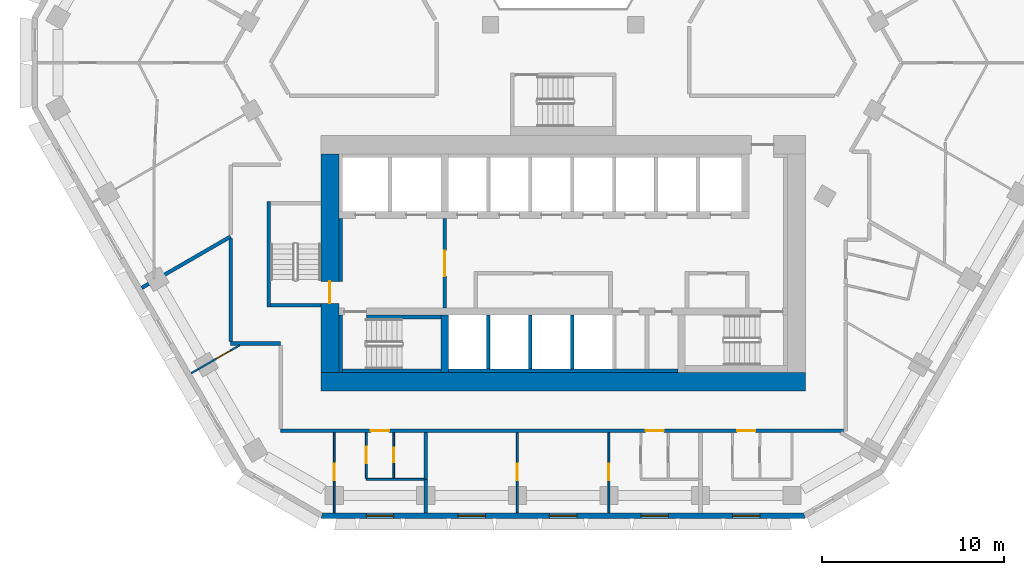
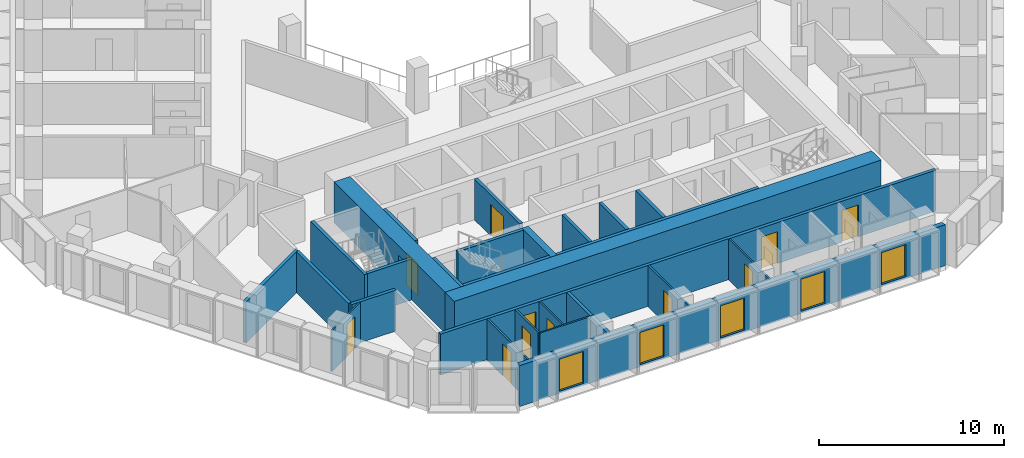
# One storey, part 3 of 15: 28 walls, 11 doors, 5 windows, 16 openings.
"""IFC4 building model written with IfcOpenShell, lengths in metres."""

from ifc_helpers import new_model, si_unit, direction, frame, frame_2d, origin, place, context, subcontext, project, spatial, polyline, rectangle, outline, extrude, material, layer, layer_set, type_object, element, fill, save


model = new_model("IFC4")

# Units and contexts
model_context = context("Model", 3, precision=1e-05, world=origin(), true_north=direction((0.0, 1.0)))
body_context = subcontext(model_context, "Body", "Model", "MODEL_VIEW")
ifc_project = project(units=[si_unit("LENGTHUNIT", "METRE"), si_unit("AREAUNIT", "SQUARE_METRE"), si_unit("VOLUMEUNIT", "CUBIC_METRE"), si_unit("PLANEANGLEUNIT", "RADIAN"), si_unit("MASSUNIT", "GRAM", prefix="KILO")], contexts=[model_context])

# Site, building, storey
site_placement = place(None, origin())
site = spatial("IfcSite", under=ifc_project, at=site_placement, CompositionType="ELEMENT")
building_placement = place(site_placement, origin())
building = spatial("IfcBuilding", under=site, at=building_placement, Name="Beryl Residences", CompositionType="ELEMENT")
storey_placement = place(building_placement, frame((0.0, 0.0, 84.0)))
storey = spatial("IfcBuildingStorey", under=building, at=storey_placement, Name="L25", CompositionType="ELEMENT", Elevation=84.0)

# Wall, openings, windows
ifc_material_1 = material(Name="Composite metal panel with mineral wool insulation")
ifc_layer_1 = layer(ifc_material_1, 0.300048828125)
ifc_layer_set_1 = layer_set([ifc_layer_1], Name="ES1 pale metal composite panel wall 300 mm")
wall_type_1 = type_object("IfcWallType", Name="ES1 pale metal composite panel wall 300 mm", PredefinedType="SOLIDWALL", material=ifc_layer_set_1)
wall_1_placement = place(storey_placement, frame((-13.279052734375, -25.85009765625, 0.0), z_axis=(0.0, 0.0, 1.0), x_axis=(1.0, 0.0, 0.0)))
wall_1 = element("IfcWall", 1, at=wall_1_placement, inside=storey, type_object=wall_type_1, Name="ES1 external wall L25 S", PredefinedType="SOLIDWALL", context=body_context, shape_type="SweptSolid", body=[
    extrude(outline(polyline([(0.0, -0.14990234375), (26.55810546875, -0.14990234375), (26.477783203125, 0.14990234375), (0.080322265625, 0.14990234375), (0.0, -0.14990234375)])), origin(), (0.0, 0.0, 1.0), 2.699951171875),
])
opening_1_placement = place(wall_1_placement, frame((2.48291015625, 0.0, 0.14990234375)))
opening_1 = element("IfcOpeningElement", 2, at=opening_1_placement, cuts=wall_1, Name="Opening W1", PredefinedType="OPENING", context=body_context, shape_type="SweptSolid", body=[
    extrude(rectangle(XDim=1.5, YDim=2.10009765625, at=frame_2d((0.75, 1.050048828125))), frame((0.0, 0.159912109375, 0.0), z_axis=(0.0, -1.0, 0.0), x_axis=(1.0, 0.0, 0.0)), (0.0, 0.0, 1.0), 0.320068359375),
])
opening_2_placement = place(wall_1_placement, frame((7.507080078125, 0.0, 0.14990234375)))
opening_2 = element("IfcOpeningElement", 3, at=opening_2_placement, cuts=wall_1, Name="Opening W1", PredefinedType="OPENING", context=body_context, shape_type="SweptSolid", body=[
    extrude(rectangle(XDim=1.5, YDim=2.10009765625, at=frame_2d((0.75, 1.050048828125))), frame((0.0, 0.159912109375, 0.0), z_axis=(0.0, -1.0, 0.0), x_axis=(1.0, 0.0, 0.0)), (0.0, 0.0, 1.0), 0.320068359375),
])
opening_3_placement = place(wall_1_placement, frame((12.529052734375, 0.0, 0.14990234375)))
opening_3 = element("IfcOpeningElement", 4, at=opening_3_placement, cuts=wall_1, Name="Opening W1", PredefinedType="OPENING", context=body_context, shape_type="SweptSolid", body=[
    extrude(rectangle(XDim=1.5, YDim=2.10009765625, at=frame_2d((0.75, 1.050048828125))), frame((0.0, 0.159912109375, 0.0), z_axis=(0.0, -1.0, 0.0), x_axis=(1.0, 0.0, 0.0)), (0.0, 0.0, 1.0), 0.320068359375),
])
opening_4_placement = place(wall_1_placement, frame((17.552978515625, 0.0, 0.14990234375)))
opening_4 = element("IfcOpeningElement", 5, at=opening_4_placement, cuts=wall_1, Name="Opening W1", PredefinedType="OPENING", context=body_context, shape_type="SweptSolid", body=[
    extrude(rectangle(XDim=1.5, YDim=2.10009765625, at=frame_2d((0.75, 1.050048828125))), frame((0.0, 0.159912109375, 0.0), z_axis=(0.0, -1.0, 0.0), x_axis=(1.0, 0.0, 0.0)), (0.0, 0.0, 1.0), 0.320068359375),
])
opening_5_placement = place(wall_1_placement, frame((22.574951171875, 0.0, 0.14990234375)))
opening_5 = element("IfcOpeningElement", 6, at=opening_5_placement, cuts=wall_1, Name="Opening W1", PredefinedType="OPENING", context=body_context, shape_type="SweptSolid", body=[
    extrude(rectangle(XDim=1.5, YDim=2.10009765625, at=frame_2d((0.75, 1.050048828125))), frame((0.0, 0.159912109375, 0.0), z_axis=(0.0, -1.0, 0.0), x_axis=(1.0, 0.0, 0.0)), (0.0, 0.0, 1.0), 0.320068359375),
])
ifc_material_2 = material(Name="Aluminium and clear glass", Category="aluminium")
window_type = type_object("IfcWindowType", Name="W1 cell window 1500 x 2100 mm", PartitioningType="SINGLE_PANEL", PredefinedType="WINDOW", material=ifc_material_2)
window_1_placement = place(opening_1_placement, origin())
window_1 = element("IfcWindow", 7, at=window_1_placement, inside=storey, type_object=window_type, Name="W1 window L25 S 2", OverallHeight=2.10009765625, OverallWidth=1.5, PartitioningType="SINGLE_PANEL", PredefinedType="WINDOW", context=body_context, shape_type="SweptSolid", body=[
    extrude(rectangle(XDim=1.5, YDim=2.10009765625, at=frame_2d((0.75, 1.050048828125))), frame((0.0, 0.030029296875, 0.0), z_axis=(0.0, -1.0, 0.0), x_axis=(1.0, 0.0, 0.0)), (0.0, 0.0, 1.0), 0.06005859375),
])
fill(opening_1, window_1)
window_2_placement = place(opening_2_placement, origin())
window_2 = element("IfcWindow", 8, at=window_2_placement, inside=storey, type_object=window_type, Name="W1 window L25 S 4", OverallHeight=2.10009765625, OverallWidth=1.5, PartitioningType="SINGLE_PANEL", PredefinedType="WINDOW", context=body_context, shape_type="SweptSolid", body=[
    extrude(rectangle(XDim=1.5, YDim=2.10009765625, at=frame_2d((0.75, 1.050048828125))), frame((0.0, 0.030029296875, 0.0), z_axis=(0.0, -1.0, 0.0), x_axis=(1.0, 0.0, 0.0)), (0.0, 0.0, 1.0), 0.06005859375),
])
fill(opening_2, window_2)
window_3_placement = place(opening_3_placement, origin())
window_3 = element("IfcWindow", 9, at=window_3_placement, inside=storey, type_object=window_type, Name="W1 window L25 S 6", OverallHeight=2.10009765625, OverallWidth=1.5, PartitioningType="SINGLE_PANEL", PredefinedType="WINDOW", context=body_context, shape_type="SweptSolid", body=[
    extrude(rectangle(XDim=1.5, YDim=2.10009765625, at=frame_2d((0.75, 1.050048828125))), frame((0.0, 0.030029296875, 0.0), z_axis=(0.0, -1.0, 0.0), x_axis=(1.0, 0.0, 0.0)), (0.0, 0.0, 1.0), 0.06005859375),
])
fill(opening_3, window_3)
window_4_placement = place(opening_4_placement, origin())
window_4 = element("IfcWindow", 10, at=window_4_placement, inside=storey, type_object=window_type, Name="W1 window L25 S 8", OverallHeight=2.10009765625, OverallWidth=1.5, PartitioningType="SINGLE_PANEL", PredefinedType="WINDOW", context=body_context, shape_type="SweptSolid", body=[
    extrude(rectangle(XDim=1.5, YDim=2.10009765625, at=frame_2d((0.75, 1.050048828125))), frame((0.0, 0.030029296875, 0.0), z_axis=(0.0, -1.0, 0.0), x_axis=(1.0, 0.0, 0.0)), (0.0, 0.0, 1.0), 0.06005859375),
])
fill(opening_4, window_4)
window_5_placement = place(opening_5_placement, origin())
window_5 = element("IfcWindow", 11, at=window_5_placement, inside=storey, type_object=window_type, Name="W1 window L25 S 10", OverallHeight=2.10009765625, OverallWidth=1.5, PartitioningType="SINGLE_PANEL", PredefinedType="WINDOW", context=body_context, shape_type="SweptSolid", body=[
    extrude(rectangle(XDim=1.5, YDim=2.10009765625, at=frame_2d((0.75, 1.050048828125))), frame((0.0, 0.030029296875, 0.0), z_axis=(0.0, -1.0, 0.0), x_axis=(1.0, 0.0, 0.0)), (0.0, 0.0, 1.0), 0.06005859375),
])
fill(opening_5, window_5)

# Wall, opening, door
ifc_material_3 = material(Name="Gypsum board partition on steel studs", Category="steel")
ifc_layer_2 = layer(ifc_material_3, 0.10009765625)
ifc_layer_set_2 = layer_set([ifc_layer_2], Name="PT1 partition 100 mm gypsum board on steel studs")
wall_type_2 = type_object("IfcWallType", Name="PT1 partition 100 mm gypsum board on steel studs", PredefinedType="PARTITIONING", material=ifc_layer_set_2)
wall_2_placement = place(storey_placement, frame((-10.799072265625, -21.300048828125, 0.0), z_axis=(0.0, 0.0, 1.0), x_axis=(0.0, -1.0, 0.0)))
wall_2 = element("IfcWall", 12, at=wall_2_placement, inside=storey, type_object=wall_type_2, Name="Wall PT1 L25 011", PredefinedType="PARTITIONING", context=body_context, shape_type="SweptSolid", body=[
    extrude(rectangle(XDim=2.509033203125, YDim=0.10009765625, at=frame_2d((1.25439453125, 0.0))), origin(), (0.0, 0.0, 1.0), 2.699951171875),
])
opening_6_placement = place(wall_2_placement, frame((0.780029296875, 0.0, 0.0)))
opening_6 = element("IfcOpeningElement", 13, at=opening_6_placement, cuts=wall_2, Name="Opening D0847", PredefinedType="OPENING", context=body_context, shape_type="SweptSolid", body=[
    extrude(rectangle(XDim=0.89990234375, YDim=2.10009765625, at=frame_2d((0.449951171875, 1.050048828125))), frame((0.0, 0.06005859375, 0.0), z_axis=(0.0, -1.0, 0.0), x_axis=(1.0, 0.0, 0.0)), (0.0, 0.0, 1.0), 0.1201171875),
])
ifc_material_4 = material(Name="Timber door leaf", Category="wood")
door_type_1 = type_object("IfcDoorType", Name="D2 room door 900 x 2100 mm", OperationType="SINGLE_SWING_LEFT", PredefinedType="DOOR", material=ifc_material_4)
door_1_placement = place(opening_6_placement, origin())
door_1 = element("IfcDoor", 14, at=door_1_placement, inside=storey, type_object=door_type_1, Name="Door D0847 L25 001", OperationType="SINGLE_SWING_LEFT", OverallHeight=2.10009765625, OverallWidth=0.89990234375, PredefinedType="DOOR", context=body_context, shape_type="SweptSolid", body=[
    extrude(rectangle(XDim=0.89990234375, YDim=2.10009765625, at=frame_2d((0.449951171875, 1.050048828125))), frame((0.0, 0.02490234375, 0.0), z_axis=(0.0, -1.0, 0.0), x_axis=(1.0, 0.0, 0.0)), (0.0, 0.0, 1.0), 0.050048828125),
])
fill(opening_6, door_1)

# Wall
wall_3_placement = place(storey_placement, frame((-10.798095703125, -23.860107421875, 0.0), z_axis=(0.0, 0.0, 1.0), x_axis=(1.0, 0.0, 0.0)))
element("IfcWall", 15, at=wall_3_placement, inside=storey, type_object=wall_type_2, Name="Wall PT1 L25 029", PredefinedType="PARTITIONING", context=body_context, shape_type="SweptSolid", body=[
    extrude(rectangle(XDim=3.1640625, YDim=0.10009765625, at=frame_2d((1.58203125, 0.0))), origin(), (0.0, 0.0, 1.0), 2.699951171875),
])

# Wall, opening, door
wall_4_placement = place(storey_placement, frame((2.511962890625, -25.699951171875, 0.0), z_axis=(0.0, 0.0, 1.0), x_axis=(0.0, 1.0, 0.0)))
wall_4 = element("IfcWall", 16, at=wall_4_placement, inside=storey, type_object=wall_type_2, Name="Wall PT1 L25 052", PredefinedType="PARTITIONING", context=body_context, shape_type="SweptSolid", body=[
    extrude(rectangle(XDim=4.39990234375, YDim=0.10009765625, at=frame_2d((2.199951171875, 0.0))), origin(), (0.0, 0.0, 1.0), 2.699951171875),
])
opening_7_placement = place(wall_4_placement, frame((1.800048828125, 0.0, 0.0)))
opening_7 = element("IfcOpeningElement", 17, at=opening_7_placement, cuts=wall_4, Name="Opening D0854", PredefinedType="OPENING", context=body_context, shape_type="SweptSolid", body=[
    extrude(rectangle(XDim=0.89990234375, YDim=2.10009765625, at=frame_2d((0.449951171875, 1.050048828125))), frame((0.0, 0.06005859375, 0.0), z_axis=(0.0, -1.0, 0.0), x_axis=(1.0, 0.0, 0.0)), (0.0, 0.0, 1.0), 0.1201171875),
])
door_2_placement = place(opening_7_placement, origin())
door_2 = element("IfcDoor", 18, at=door_2_placement, inside=storey, type_object=door_type_1, Name="Door D0854 L25 001", OperationType="SINGLE_SWING_RIGHT", OverallHeight=2.10009765625, OverallWidth=0.89990234375, PredefinedType="DOOR", context=body_context, shape_type="SweptSolid", body=[
    extrude(rectangle(XDim=0.89990234375, YDim=2.10009765625, at=frame_2d((0.449951171875, 1.050048828125))), frame((0.0, 0.02490234375, 0.0), z_axis=(0.0, -1.0, 0.0), x_axis=(1.0, 0.0, 0.0)), (0.0, 0.0, 1.0), 0.050048828125),
])
fill(opening_7, door_2)

wall_5_placement = place(storey_placement, frame((-9.2919921875, -23.81005859375, 0.0), z_axis=(0.0, 0.0, 1.0), x_axis=(0.0, 1.0, 0.0)))
wall_5 = element("IfcWall", 19, at=wall_5_placement, inside=storey, type_object=wall_type_2, Name="Wall PT1 L25 055", PredefinedType="PARTITIONING", context=body_context, shape_type="SweptSolid", body=[
    extrude(rectangle(XDim=2.510009765625, YDim=0.10009765625, at=frame_2d((1.2548828125, 0.0))), origin(), (0.0, 0.0, 1.0), 2.699951171875),
])
opening_8_placement = place(wall_5_placement, frame((0.8798828125, 0.0, 0.0)))
opening_8 = element("IfcOpeningElement", 20, at=opening_8_placement, cuts=wall_5, Name="Opening D0848", PredefinedType="OPENING", context=body_context, shape_type="SweptSolid", body=[
    extrude(rectangle(XDim=0.800048828125, YDim=2.10009765625, at=frame_2d((0.39990234375, 1.050048828125))), frame((0.0, 0.06005859375, 0.0), z_axis=(0.0, -1.0, 0.0), x_axis=(1.0, 0.0, 0.0)), (0.0, 0.0, 1.0), 0.1201171875),
])
ifc_material_5 = material(Name="Timber door leaf", Category="wood")
door_type_2 = type_object("IfcDoorType", Name="D3 bathroom door 800 x 2100 mm", OperationType="SINGLE_SWING_LEFT", PredefinedType="DOOR", material=ifc_material_5)
door_3_placement = place(opening_8_placement, origin())
door_3 = element("IfcDoor", 21, at=door_3_placement, inside=storey, type_object=door_type_2, Name="Door D0848 L25 001", OperationType="SINGLE_SWING_RIGHT", OverallHeight=2.10009765625, OverallWidth=0.800048828125, PredefinedType="DOOR", context=body_context, shape_type="SweptSolid", body=[
    extrude(rectangle(XDim=0.800048828125, YDim=2.10009765625, at=frame_2d((0.39990234375, 1.050048828125))), frame((0.0, 0.02490234375, 0.0), z_axis=(0.0, -1.0, 0.0), x_axis=(1.0, 0.0, 0.0)), (0.0, 0.0, 1.0), 0.050048828125),
])
fill(opening_8, door_3)

wall_6_placement = place(storey_placement, frame((-12.556884765625, -25.699951171875, 0.0), z_axis=(0.0, 0.0, 1.0), x_axis=(0.0, 1.0, 0.0)))
wall_6 = element("IfcWall", 22, at=wall_6_placement, inside=storey, type_object=wall_type_2, Name="Wall PT1 L25 057", PredefinedType="PARTITIONING", context=body_context, shape_type="SweptSolid", body=[
    extrude(rectangle(XDim=4.39990234375, YDim=0.10009765625, at=frame_2d((2.199951171875, 0.0))), origin(), (0.0, 0.0, 1.0), 2.699951171875),
])
opening_9_placement = place(wall_6_placement, frame((1.800048828125, 0.0, 0.0)))
opening_9 = element("IfcOpeningElement", 23, at=opening_9_placement, cuts=wall_6, Name="Opening D0849", PredefinedType="OPENING", context=body_context, shape_type="SweptSolid", body=[
    extrude(rectangle(XDim=0.89990234375, YDim=2.10009765625, at=frame_2d((0.449951171875, 1.050048828125))), frame((0.0, 0.06005859375, 0.0), z_axis=(0.0, -1.0, 0.0), x_axis=(1.0, 0.0, 0.0)), (0.0, 0.0, 1.0), 0.1201171875),
])
door_4_placement = place(opening_9_placement, origin())
door_4 = element("IfcDoor", 24, at=door_4_placement, inside=storey, type_object=door_type_1, Name="Door D0849 L25 001", OperationType="SINGLE_SWING_LEFT", OverallHeight=2.10009765625, OverallWidth=0.89990234375, PredefinedType="DOOR", context=body_context, shape_type="SweptSolid", body=[
    extrude(rectangle(XDim=0.89990234375, YDim=2.10009765625, at=frame_2d((0.449951171875, 1.050048828125))), frame((0.0, 0.02490234375, 0.0), z_axis=(0.0, -1.0, 0.0), x_axis=(1.0, 0.0, 0.0)), (0.0, 0.0, 1.0), 0.050048828125),
])
fill(opening_9, door_4)

wall_7_placement = place(storey_placement, frame((-2.510986328125, -25.699951171875, 0.0), z_axis=(0.0, 0.0, 1.0), x_axis=(0.0, 1.0, 0.0)))
wall_7 = element("IfcWall", 25, at=wall_7_placement, inside=storey, type_object=wall_type_2, Name="Wall PT1 L25 060", PredefinedType="PARTITIONING", context=body_context, shape_type="SweptSolid", body=[
    extrude(rectangle(XDim=4.39990234375, YDim=0.10009765625, at=frame_2d((2.199951171875, 0.0))), origin(), (0.0, 0.0, 1.0), 2.699951171875),
])
opening_10_placement = place(wall_7_placement, frame((1.800048828125, 0.0, 0.0)))
opening_10 = element("IfcOpeningElement", 26, at=opening_10_placement, cuts=wall_7, Name="Opening D0855", PredefinedType="OPENING", context=body_context, shape_type="SweptSolid", body=[
    extrude(rectangle(XDim=0.89990234375, YDim=2.10009765625, at=frame_2d((0.449951171875, 1.050048828125))), frame((0.0, 0.06005859375, 0.0), z_axis=(0.0, -1.0, 0.0), x_axis=(1.0, 0.0, 0.0)), (0.0, 0.0, 1.0), 0.1201171875),
])
door_5_placement = place(opening_10_placement, origin())
door_5 = element("IfcDoor", 27, at=door_5_placement, inside=storey, type_object=door_type_1, Name="Door D0855 L25 001", OperationType="SINGLE_SWING_LEFT", OverallHeight=2.10009765625, OverallWidth=0.89990234375, PredefinedType="DOOR", context=body_context, shape_type="SweptSolid", body=[
    extrude(rectangle(XDim=0.89990234375, YDim=2.10009765625, at=frame_2d((0.449951171875, 1.050048828125))), frame((0.0, 0.02490234375, 0.0), z_axis=(0.0, -1.0, 0.0), x_axis=(1.0, 0.0, 0.0)), (0.0, 0.0, 1.0), 0.050048828125),
])
fill(opening_10, door_5)

wall_8_placement = place(storey_placement, frame((-20.416015625, -18.0380859375, 0.0), z_axis=(0.0, 0.0, 1.0), x_axis=(0.866026989333, 0.499997253739, 0.0)))
wall_8 = element("IfcWall", 28, at=wall_8_placement, inside=storey, type_object=wall_type_2, Name="Wall PT1 L25 063", PredefinedType="PARTITIONING", context=body_context, shape_type="SweptSolid", body=[
    extrude(rectangle(XDim=3.076171875, YDim=0.10009765625, at=frame_2d((1.5380859375, 0.0))), origin(), (0.0, 0.0, 1.0), 2.699951171875),
])
opening_11_placement = place(wall_8_placement, frame((1.587890625, 0.0, 0.0)))
opening_11 = element("IfcOpeningElement", 29, at=opening_11_placement, cuts=wall_8, Name="Opening D0850", PredefinedType="OPENING", context=body_context, shape_type="SweptSolid", body=[
    extrude(rectangle(XDim=0.89990234375, YDim=2.10009765625, at=frame_2d((0.449951171875, 1.050048828125))), frame((0.0, 0.06005859375, 0.0), z_axis=(0.0, -1.0, 0.0), x_axis=(1.0, 0.0, 0.0)), (0.0, 0.0, 1.0), 0.1201171875),
])
door_6_placement = place(opening_11_placement, origin())
door_6 = element("IfcDoor", 30, at=door_6_placement, inside=storey, type_object=door_type_1, Name="Door D0850 L25 001", OperationType="SINGLE_SWING_RIGHT", OverallHeight=2.10009765625, OverallWidth=0.89990234375, PredefinedType="DOOR", context=body_context, shape_type="SweptSolid", body=[
    extrude(rectangle(XDim=0.89990234375, YDim=2.10009765625, at=frame_2d((0.449951171875, 1.050048828125))), frame((0.0, 0.02490234375, 0.0), z_axis=(0.0, -1.0, 0.0), x_axis=(1.0, 0.0, 0.0)), (0.0, 0.0, 1.0), 0.050048828125),
])
fill(opening_11, door_6)

# Wall
ifc_material_6 = material(Name="Concrete masonry", Category="masonry")
ifc_layer_3 = layer(ifc_material_6, 0.199951171875)
ifc_layer_set_3 = layer_set([ifc_layer_3], Name="PT13 lobby wall 200 mm")
wall_type_3 = type_object("IfcWallType", Name="PT13 lobby wall 200 mm", PredefinedType="PARTITIONING", material=ifc_layer_set_3)
wall_9_placement = place(storey_placement, frame((-12.199951171875, -13.0, 0.0), z_axis=(0.0, 0.0, 1.0), x_axis=(0.0, 1.0, 0.0)))
element("IfcWall", 31, at=wall_9_placement, inside=storey, type_object=wall_type_3, Name="Lobby wall 05", PredefinedType="PARTITIONING", context=body_context, shape_type="SweptSolid", body=[
    extrude(rectangle(XDim=3.449951171875, YDim=0.199951171875, at=frame_2d((1.72509765625, 0.0))), origin(), (0.0, 0.0, 1.0), 2.699951171875),
])

# Wall, opening, door
wall_10_placement = place(storey_placement, frame((-6.5, -14.449951171875, 0.0), z_axis=(0.0, 0.0, 1.0), x_axis=(0.0, 1.0, 0.0)))
wall_10 = element("IfcWall", 32, at=wall_10_placement, inside=storey, type_object=wall_type_3, Name="Lobby wall 11", PredefinedType="PARTITIONING", context=body_context, shape_type="SweptSolid", body=[
    extrude(rectangle(XDim=4.89990234375, YDim=0.199951171875, at=frame_2d((2.449951171875, 0.0))), origin(), (0.0, 0.0, 1.0), 2.699951171875),
])
opening_12_placement = place(wall_10_placement, frame((3.14990234375, 0.0, 0.0), z_axis=(0.0, 0.0, 1.0), x_axis=(-1.0, 0.0, 0.0)))
opening_12 = element("IfcOpeningElement", 33, at=opening_12_placement, cuts=wall_10, Name="Opening FD-FFL", PredefinedType="OPENING", context=body_context, shape_type="SweptSolid", body=[
    extrude(rectangle(XDim=1.39990234375, YDim=2.10009765625, at=frame_2d((0.699951171875, 1.050048828125))), frame((0.0, 0.10986328125, 0.0), z_axis=(0.0, -1.0, 0.0), x_axis=(1.0, 0.0, 0.0)), (0.0, 0.0, 1.0), 0.219970703125),
])
ifc_material_7 = material(Name="Steel door leaf in steel frame", Category="steel")
door_type_3 = type_object("IfcDoorType", Name="D5 lobby door 1400 x 2100 mm", OperationType="DOUBLE_DOOR_SINGLE_SWING", PredefinedType="DOOR", material=ifc_material_7)
door_7_placement = place(opening_12_placement, origin())
door_7 = element("IfcDoor", 34, at=door_7_placement, inside=storey, type_object=door_type_3, Name="Door FD-FFL L25 001", OperationType="DOUBLE_DOOR_SINGLE_SWING", OverallHeight=2.10009765625, OverallWidth=1.39990234375, PredefinedType="DOOR", context=body_context, shape_type="SweptSolid", body=[
    extrude(rectangle(XDim=1.39990234375, YDim=2.10009765625, at=frame_2d((0.699951171875, 1.050048828125))), frame((0.0, 0.02490234375, 0.0), z_axis=(0.0, -1.0, 0.0), x_axis=(1.0, 0.0, 0.0)), (0.0, 0.0, 1.0), 0.050048828125),
])
fill(opening_12, door_7)

# Walls
ifc_material_8 = material(Name="Acoustic double stud gypsum board wall")
ifc_layer_4 = layer(ifc_material_8, 0.199951171875)
ifc_layer_set_4 = layer_set([ifc_layer_4], Name="PT3 party wall 200 mm acoustic double stud")
wall_type_4 = type_object("IfcWallType", Name="PT3 party wall 200 mm acoustic double stud", PredefinedType="PARTITIONING", material=ifc_layer_set_4)
wall_11_placement = place(storey_placement, frame((-7.533935546875, -23.860107421875, 0.0), z_axis=(0.0, 0.0, 1.0), x_axis=(0.0, -1.0, 0.0)))
element("IfcWall", 35, at=wall_11_placement, inside=storey, type_object=wall_type_4, Name="Wall PT3 L25 001", PredefinedType="PARTITIONING", context=body_context, shape_type="SweptSolid", body=[
    extrude(rectangle(XDim=1.83984375, YDim=0.199951171875, at=frame_2d((0.919921875, 0.0))), origin(), (0.0, 0.0, 1.0), 2.699951171875),
])
wall_12_placement = place(storey_placement, frame((-7.533935546875, -23.860107421875, 0.0), z_axis=(0.0, 0.0, 1.0), x_axis=(0.0, 1.0, 0.0)))
element("IfcWall", 36, at=wall_12_placement, inside=storey, type_object=wall_type_4, Name="Wall PT3 L25 010", PredefinedType="PARTITIONING", context=body_context, shape_type="SweptSolid", body=[
    extrude(rectangle(XDim=2.56005859375, YDim=0.199951171875, at=frame_2d((1.280029296875, 0.0))), origin(), (0.0, 0.0, 1.0), 2.699951171875),
])
wall_13_placement = place(storey_placement, frame((-23.123046875, -13.35009765625, 0.0), z_axis=(0.0, 0.0, 1.0), x_axis=(0.86596737403, 0.500100497016, 0.0)))
element("IfcWall", 37, at=wall_13_placement, inside=storey, type_object=wall_type_4, Name="Wall PT3 L25 012", PredefinedType="PARTITIONING", context=body_context, shape_type="SweptSolid", body=[
    extrude(rectangle(XDim=5.627197265625, YDim=0.199951171875, at=frame_2d((2.8134765625, 0.0))), origin(), (0.0, 0.0, 1.0), 2.699951171875),
])
ifc_material_9 = material(Name="Double stud gypsum board wall")
ifc_layer_5 = layer(ifc_material_9, 0.199951171875)
ifc_layer_set_5 = layer_set([ifc_layer_5], Name="PT4 corridor wall 200 mm double stud")
wall_type_5 = type_object("IfcWallType", Name="PT4 corridor wall 200 mm double stud", PredefinedType="PARTITIONING", material=ifc_layer_set_5)
wall_14_placement = place(storey_placement, frame((-18.25, -10.652099609375, 0.0), z_axis=(0.0, 0.0, 1.0), x_axis=(0.0, -1.0, 0.0)))
element("IfcWall", 38, at=wall_14_placement, inside=storey, type_object=wall_type_5, Name="Wall PT4 L25 008", PredefinedType="PARTITIONING", context=body_context, shape_type="SweptSolid", body=[
    extrude(rectangle(XDim=5.64697265625, YDim=0.199951171875, at=frame_2d((2.823486328125, 0.0))), origin(), (0.0, 0.0, 1.0), 2.699951171875),
])
wall_15_placement = place(storey_placement, frame((-18.2490234375, -16.39990234375, 0.0), z_axis=(0.0, 0.0, 1.0), x_axis=(1.0, 0.0, 0.0)))
element("IfcWall", 39, at=wall_15_placement, inside=storey, type_object=wall_type_5, Name="Wall PT4 L25 016", PredefinedType="PARTITIONING", context=body_context, shape_type="SweptSolid", body=[
    extrude(rectangle(XDim=2.748046875, YDim=0.199951171875, at=frame_2d((1.3740234375, 0.0))), origin(), (0.0, 0.0, 1.0), 2.699951171875),
])

# Wall, openings, doors
wall_16_placement = place(storey_placement, frame((-15.4990234375, -21.199951171875, 0.0), z_axis=(0.0, 0.0, 1.0), x_axis=(1.0, 0.0, 0.0)))
wall_16 = element("IfcWall", 40, at=wall_16_placement, inside=storey, type_object=wall_type_5, Name="Wall PT4 L25 017", PredefinedType="PARTITIONING", context=body_context, shape_type="SweptSolid", body=[
    extrude(rectangle(XDim=30.89794921875, YDim=0.199951171875, at=frame_2d((15.448974609375, 0.0))), origin(), (0.0, 0.0, 1.0), 2.699951171875),
])
opening_13_placement = place(wall_16_placement, frame((4.9541015625, 0.0, 0.0)))
opening_13 = element("IfcOpeningElement", 41, at=opening_13_placement, cuts=wall_16, Name="Opening D0846", PredefinedType="OPENING", context=body_context, shape_type="SweptSolid", body=[
    extrude(rectangle(XDim=1.0, YDim=2.10009765625, at=frame_2d((0.5, 1.050048828125))), frame((0.0, 0.10986328125, 0.0), z_axis=(0.0, -1.0, 0.0), x_axis=(1.0, 0.0, 0.0)), (0.0, 0.0, 1.0), 0.219970703125),
])
opening_14_placement = place(wall_16_placement, frame((20.02294921875, 0.0, 0.0)))
opening_14 = element("IfcOpeningElement", 42, at=opening_14_placement, cuts=wall_16, Name="Opening D0851", PredefinedType="OPENING", context=body_context, shape_type="SweptSolid", body=[
    extrude(rectangle(XDim=1.0, YDim=2.10009765625, at=frame_2d((0.5, 1.050048828125))), frame((0.0, 0.10986328125, 0.0), z_axis=(0.0, -1.0, 0.0), x_axis=(1.0, 0.0, 0.0)), (0.0, 0.0, 1.0), 0.219970703125),
])
opening_15_placement = place(wall_16_placement, frame((25.0458984375, 0.0, 0.0)))
opening_15 = element("IfcOpeningElement", 43, at=opening_15_placement, cuts=wall_16, Name="Opening D0856", PredefinedType="OPENING", context=body_context, shape_type="SweptSolid", body=[
    extrude(rectangle(XDim=1.0, YDim=2.10009765625, at=frame_2d((0.5, 1.050048828125))), frame((0.0, 0.10986328125, 0.0), z_axis=(0.0, -1.0, 0.0), x_axis=(1.0, 0.0, 0.0)), (0.0, 0.0, 1.0), 0.219970703125),
])
ifc_material_10 = material(Name="Timber door leaf", Category="wood")
door_type_4 = type_object("IfcDoorType", Name="D1 flat entrance door 1000 x 2100 mm", OperationType="SINGLE_SWING_LEFT", PredefinedType="DOOR", material=ifc_material_10)
door_8_placement = place(opening_13_placement, origin())
door_8 = element("IfcDoor", 44, at=door_8_placement, inside=storey, type_object=door_type_4, Name="Door D0846 L25 001", OperationType="SINGLE_SWING_RIGHT", OverallHeight=2.10009765625, OverallWidth=1.0, PredefinedType="DOOR", context=body_context, shape_type="SweptSolid", body=[
    extrude(rectangle(XDim=1.0, YDim=2.10009765625, at=frame_2d((0.5, 1.050048828125))), frame((0.0, 0.02490234375, 0.0), z_axis=(0.0, -1.0, 0.0), x_axis=(1.0, 0.0, 0.0)), (0.0, 0.0, 1.0), 0.050048828125),
])
fill(opening_13, door_8)
door_9_placement = place(opening_14_placement, origin())
door_9 = element("IfcDoor", 45, at=door_9_placement, inside=storey, type_object=door_type_4, Name="Door D0851 L25 001", OperationType="SINGLE_SWING_LEFT", OverallHeight=2.10009765625, OverallWidth=1.0, PredefinedType="DOOR", context=body_context, shape_type="SweptSolid", body=[
    extrude(rectangle(XDim=1.0, YDim=2.10009765625, at=frame_2d((0.5, 1.050048828125))), frame((0.0, 0.02490234375, 0.0), z_axis=(0.0, -1.0, 0.0), x_axis=(1.0, 0.0, 0.0)), (0.0, 0.0, 1.0), 0.050048828125),
])
fill(opening_14, door_9)
door_10_placement = place(opening_15_placement, origin())
door_10 = element("IfcDoor", 46, at=door_10_placement, inside=storey, type_object=door_type_4, Name="Door D0856 L25 001", OperationType="SINGLE_SWING_RIGHT", OverallHeight=2.10009765625, OverallWidth=1.0, PredefinedType="DOOR", context=body_context, shape_type="SweptSolid", body=[
    extrude(rectangle(XDim=1.0, YDim=2.10009765625, at=frame_2d((0.5, 1.050048828125))), frame((0.0, 0.02490234375, 0.0), z_axis=(0.0, -1.0, 0.0), x_axis=(1.0, 0.0, 0.0)), (0.0, 0.0, 1.0), 0.050048828125),
])
fill(opening_15, door_10)

# Walls
ifc_material_11 = material(Name="Concrete C40/50", Category="concrete")
ifc_layer_6 = layer(ifc_material_11, 0.199951171875)
ifc_layer_set_6 = layer_set([ifc_layer_6], Name="PT5 stair enclosure wall 200 mm reinforced concrete C40/50")
wall_type_6 = type_object("IfcWallType", Name="PT5 stair enclosure wall 200 mm reinforced concrete C40/50", PredefinedType="SOLIDWALL", material=ifc_layer_set_6)
wall_17_placement = place(storey_placement, frame((-16.14990234375, -14.39990234375, 0.0), z_axis=(0.0, 0.0, 1.0), x_axis=(0.0, 1.0, 0.0)))
element("IfcWall", 47, at=wall_17_placement, inside=storey, type_object=wall_type_6, Name="Stair wall 01", PredefinedType="SOLIDWALL", context=body_context, shape_type="SweptSolid", body=[
    extrude(rectangle(XDim=5.7998046875, YDim=0.199951171875, at=frame_2d((2.89990234375, 0.0))), origin(), (0.0, 0.0, 1.0), 2.699951171875),
])
wall_18_placement = place(storey_placement, frame((-16.050048828125, -14.300048828125, 0.0), z_axis=(0.0, 0.0, 1.0), x_axis=(1.0, 0.0, 0.0)))
element("IfcWall", 48, at=wall_18_placement, inside=storey, type_object=wall_type_6, Name="Stair wall 02", PredefinedType="SOLIDWALL", context=body_context, shape_type="SweptSolid", body=[
    extrude(rectangle(XDim=2.75, YDim=0.199951171875, at=frame_2d((1.375, 0.0))), origin(), (0.0, 0.0, 1.0), 2.699951171875),
])
wall_19_placement = place(storey_placement, frame((-12.199951171875, -18.0, 0.0), z_axis=(0.0, 0.0, 1.0), x_axis=(0.0, 1.0, 0.0)))
element("IfcWall", 49, at=wall_19_placement, inside=storey, type_object=wall_type_6, Name="Stair wall 04", PredefinedType="SOLIDWALL", context=body_context, shape_type="SweptSolid", body=[
    extrude(rectangle(XDim=3.14990234375, YDim=0.199951171875, at=frame_2d((1.574951171875, 0.0))), origin(), (0.0, 0.0, 1.0), 2.699951171875),
])
wall_20_placement = place(storey_placement, frame((-12.10009765625, -17.89990234375, 0.0), z_axis=(0.0, 0.0, 1.0), x_axis=(1.0, 0.0, 0.0)))
element("IfcWall", 50, at=wall_20_placement, inside=storey, type_object=wall_type_6, Name="Stair wall 07", PredefinedType="SOLIDWALL", context=body_context, shape_type="SweptSolid", body=[
    extrude(rectangle(XDim=5.400146484375, YDim=0.199951171875, at=frame_2d((2.7001953125, 0.0))), origin(), (0.0, 0.0, 1.0), 2.699951171875),
])
wall_21_placement = place(storey_placement, frame((-10.800048828125, -14.949951171875, 0.0), z_axis=(0.0, 0.0, 1.0), x_axis=(1.0, 0.0, 0.0)))
element("IfcWall", 51, at=wall_21_placement, inside=storey, type_object=wall_type_6, Name="Stair wall 09", PredefinedType="SOLIDWALL", context=body_context, shape_type="SweptSolid", body=[
    extrude(rectangle(XDim=4.10009765625, YDim=0.199951171875, at=frame_2d((2.050048828125, 0.0))), origin(), (0.0, 0.0, 1.0), 2.699951171875),
])
ifc_material_12 = material(Name="Concrete C40/50", Category="concrete")
ifc_layer_7 = layer(ifc_material_12, 0.199951171875)
ifc_layer_set_7 = layer_set([ifc_layer_7], Name="PT6 lift shaft wall 200 mm reinforced concrete C40/50")
wall_type_7 = type_object("IfcWallType", Name="PT6 lift shaft wall 200 mm reinforced concrete C40/50", PredefinedType="SOLIDWALL", material=ifc_layer_set_7)
wall_22_placement = place(storey_placement, frame((-6.300048828125, -17.89990234375, 0.0), z_axis=(0.0, 0.0, 1.0), x_axis=(1.0, 0.0, 0.0)))
element("IfcWall", 52, at=wall_22_placement, inside=storey, type_object=wall_type_7, Name="Lift shaft wall 12", PredefinedType="SOLIDWALL", context=body_context, shape_type="SweptSolid", body=[
    extrude(rectangle(XDim=12.60009765625, YDim=0.199951171875, at=frame_2d((6.300048828125, 0.0))), origin(), (0.0, 0.0, 1.0), 2.699951171875),
])
for number, where, z_axis, x_axis, name in (
    (53, (-4.10009765625, -17.800048828125, 0.0), (0.0, 0.0, 1.0), (0.0, 1.0, 0.0), "Lift shaft wall 16"),
    (54, (-1.800048828125, -17.800048828125, 0.0), (0.0, 0.0, 1.0), (0.0, 1.0, 0.0), "Lift shaft wall 18"),
    (55, (0.5, -17.800048828125, 0.0), (0.0, 0.0, 1.0), (0.0, 1.0, 0.0), "Lift shaft wall 20"),
):
    element("IfcWall", number, at=place(storey_placement, frame(where, z_axis=z_axis, x_axis=x_axis)), inside=storey, type_object=wall_type_7, Name=name, PredefinedType="SOLIDWALL", context=body_context, shape_type="SweptSolid", body=[
        extrude(rectangle(XDim=2.949951171875, YDim=0.199951171875, at=frame_2d((1.47509765625, 0.0))), origin(), (0.0, 0.0, 1.0), 2.699951171875),
    ])
ifc_material_13 = material(Name="Concrete C70/85", Category="concrete")
ifc_layer_8 = layer(ifc_material_13, 1.0)
ifc_layer_set_8 = layer_set([ifc_layer_8], Name="SW2 core outer wall 1000 mm C70/85")
wall_type_8 = type_object("IfcWallType", Name="SW2 core outer wall 1000 mm C70/85", PredefinedType="SHEAR", material=ifc_layer_set_8)
wall_23_placement = place(storey_placement, frame((-13.300048828125, -18.5, 0.0), z_axis=(0.0, 0.0, 1.0), x_axis=(1.0, 0.0, 0.0)))
element("IfcWall", 56, at=wall_23_placement, inside=storey, type_object=wall_type_8, Name="Core wall S L25", PredefinedType="SHEAR", context=body_context, shape_type="SweptSolid", body=[
    extrude(rectangle(XDim=26.60009765625, YDim=1.0, at=frame_2d((13.300048828125, 0.0))), origin(), (0.0, 0.0, 1.0), 2.699951171875),
])

# Wall, opening, door
wall_24_placement = place(storey_placement, frame((-12.800048828125, -18.0, 0.0), z_axis=(0.0, 0.0, 1.0), x_axis=(0.0, 1.0, 0.0)))
wall_24 = element("IfcWall", 57, at=wall_24_placement, inside=storey, type_object=wall_type_8, Name="Core wall W L25", PredefinedType="SHEAR", context=body_context, shape_type="SweptSolid", body=[
    extrude(rectangle(XDim=12.0, YDim=1.0, at=frame_2d((6.0, 0.0))), origin(), (0.0, 0.0, 1.0), 2.699951171875),
])
opening_16_placement = place(wall_24_placement, frame((3.800048828125, 0.0, 0.0)))
opening_16 = element("IfcOpeningElement", 58, at=opening_16_placement, cuts=wall_24, Name="Opening SD-2", PredefinedType="OPENING", context=body_context, shape_type="SweptSolid", body=[
    extrude(rectangle(XDim=1.199951171875, YDim=2.10009765625, at=frame_2d((0.60009765625, 1.050048828125))), frame((0.0, 0.510009765625, 0.0), z_axis=(0.0, -1.0, 0.0), x_axis=(1.0, 0.0, 0.0)), (0.0, 0.0, 1.0), 1.02001953125),
])
ifc_material_14 = material(Name="Steel door leaf in steel frame", Category="steel")
door_type_5 = type_object("IfcDoorType", Name="D4 stair door 1200 x 2100 mm", OperationType="SINGLE_SWING_LEFT", PredefinedType="DOOR", material=ifc_material_14)
door_11_placement = place(opening_16_placement, origin())
door_11 = element("IfcDoor", 59, at=door_11_placement, inside=storey, type_object=door_type_5, Name="Door SD-2 L25 001", OperationType="SINGLE_SWING_RIGHT", OverallHeight=2.10009765625, OverallWidth=1.199951171875, PredefinedType="DOOR", context=body_context, shape_type="SweptSolid", body=[
    extrude(rectangle(XDim=1.199951171875, YDim=2.10009765625, at=frame_2d((0.60009765625, 1.050048828125))), frame((0.0, 0.02490234375, 0.0), z_axis=(0.0, -1.0, 0.0), x_axis=(1.0, 0.0, 0.0)), (0.0, 0.0, 1.0), 0.050048828125),
])
fill(opening_16, door_11)

# Wall
ifc_material_15 = material(Name="Concrete C70/85", Category="concrete")
ifc_layer_9 = layer(ifc_material_15, 0.39990234375)
ifc_layer_set_9 = layer_set([ifc_layer_9], Name="SW7 core internal wall 400 mm C70/85")
wall_type_9 = type_object("IfcWallType", Name="SW7 core internal wall 400 mm C70/85", PredefinedType="SHEAR", material=ifc_layer_set_9)
wall_25_placement = place(storey_placement, frame((-6.5, -18.0, 0.0), z_axis=(0.0, 0.0, 1.0), x_axis=(0.0, 1.0, 0.0)))
element("IfcWall", 60, at=wall_25_placement, inside=storey, type_object=wall_type_9, Name="Core wall XS1 L25", PredefinedType="SHEAR", context=body_context, shape_type="SweptSolid", body=[
    extrude(rectangle(XDim=3.14990234375, YDim=0.39990234375, at=frame_2d((1.574951171875, 0.0))), origin(), (0.0, 0.0, 1.0), 2.699951171875),
])

save(model, "model.ifc")
